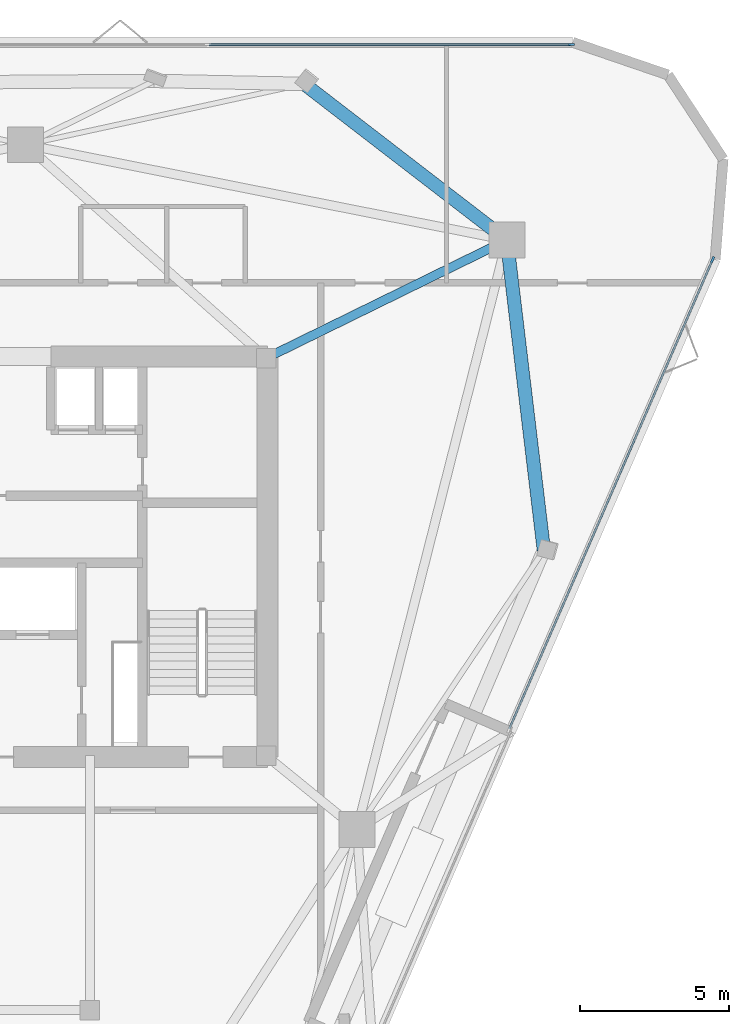
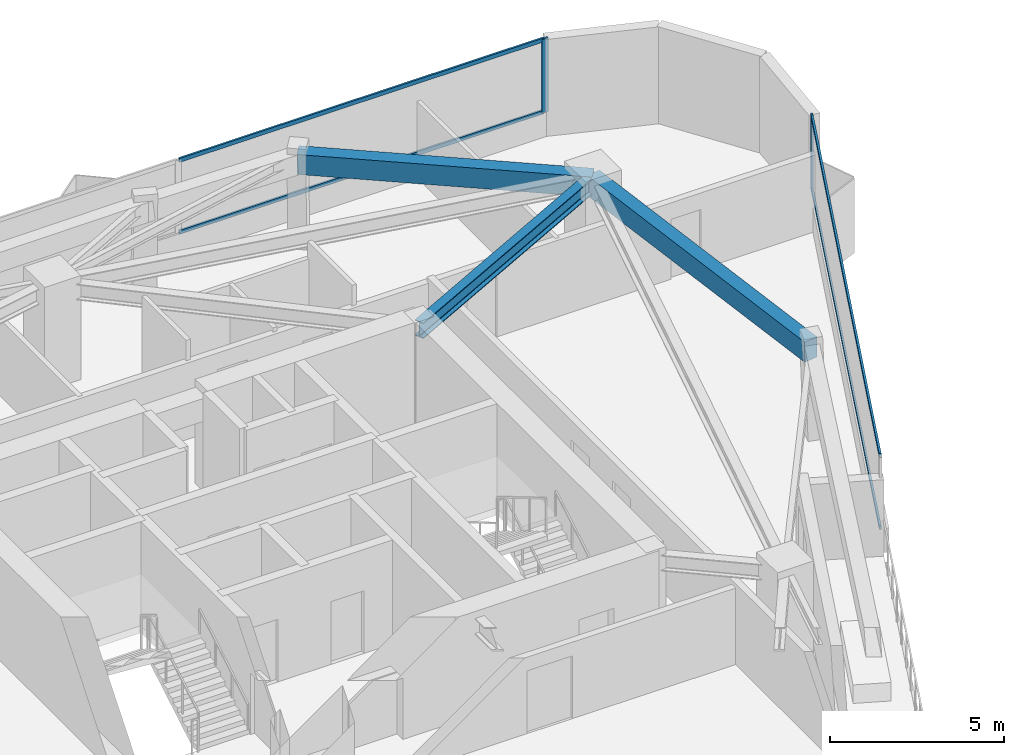
# One storey, part 6 of 10: 6 members, 3 beams, 2 elements without a shape of their own.
"""IFC4 building model written with IfcOpenShell, lengths in metres."""

import ifcopenshell
import ifcopenshell.guid

model = None  # the IFC model being written
_history = None  # IfcOwnerHistory: only IFC2X3 demands one
_inside = {}  # id of a spatial element -> (the spatial element, [elements in it])
_under = {}  # id of a project, library or spatial element -> (it, [spatial elements below it])
_declared = {}  # id of a project -> (the project, [libraries it declares])
_typed = {}  # id of a type object -> (the type object, [elements of that type])
_made_of = {}  # id of a material, layer set ... -> (it, [elements and type objects made of it])


def new_model(schema):
    """Start an empty IFC model of exactly this schema.

    Asked for "IFC4X3", IfcOpenShell would pick the latest addendum, in which some entities
    have other attributes; the version numbers below select the first issue.
    IFC2X3 requires an IfcOwnerHistory on every rooted entity: one is made here for all.
    """
    global model, _history
    if schema == "IFC4X3":
        model = ifcopenshell.file(schema_version=(4, 3, 0, 0))
    else:
        model = ifcopenshell.file(schema=schema)
    _inside.clear()
    _under.clear()
    _declared.clear()
    _typed.clear()
    _made_of.clear()
    _history = None
    if model.schema == "IFC2X3":
        org = make("IfcOrganization", Name="unknown")
        user = make(
            "IfcPersonAndOrganization",
            ThePerson=make("IfcPerson", FamilyName="unknown"),
            TheOrganization=org,
        )
        app = make(
            "IfcApplication",
            ApplicationDeveloper=org,
            Version="unknown",
            ApplicationFullName="unknown",
            ApplicationIdentifier="unknown",
        )
        _history = make(
            "IfcOwnerHistory",
            OwningUser=user,
            OwningApplication=app,
            ChangeAction="ADDED",
            CreationDate=0,
        )
    return model


def make(cls, **values):
    """One entity of the class cls with the attributes given. An attribute that is None is left unset."""
    return model.create_entity(
        cls, **{name: value for name, value in values.items() if value is not None}
    )


def rooted(cls, **values):
    """An entity with a GlobalId (a new one), such as an element, a storey or a relation."""
    return make(cls, GlobalId=ifcopenshell.guid.new(), OwnerHistory=_history, **values)


def si_unit(unit_type, name, prefix=None):
    """IfcSIUnit, for example si_unit("LENGTHUNIT", "METRE", prefix="MILLI")."""
    return make("IfcSIUnit", UnitType=unit_type, Prefix=prefix, Name=name)


def assignment(units):
    """IfcUnitAssignment: the units of a project."""
    return None if units is None else make("IfcUnitAssignment", Units=units)


def point(xyz):
    """IfcCartesianPoint."""
    return None if xyz is None else make("IfcCartesianPoint", Coordinates=xyz)


def direction(xyz):
    """IfcDirection."""
    return None if xyz is None else make("IfcDirection", DirectionRatios=xyz)


def frame(location, z_axis=None, x_axis=None):
    """IfcAxis2Placement3D, a coordinate frame: its origin and axes. An axis left out is left unset."""
    return make(
        "IfcAxis2Placement3D",
        Location=point(location),
        Axis=direction(z_axis),
        RefDirection=direction(x_axis),
    )


def frame_2d(location, x_axis=None):
    """IfcAxis2Placement2D, a coordinate frame in the plane: its origin and x axis."""
    return make(
        "IfcAxis2Placement2D", Location=point(location), RefDirection=direction(x_axis)
    )


def origin():
    """The frame at (0, 0, 0) with its axes left unset."""
    return frame((0.0, 0.0, 0.0))


def origin_2d():
    """The frame at (0, 0) in the plane with its x axis left unset."""
    return frame_2d((0.0, 0.0))


def place(relative_to, where):
    """IfcLocalPlacement: puts the frame where relative to a parent placement (None: the world)."""
    return make(
        "IfcLocalPlacement", PlacementRelTo=relative_to, RelativePlacement=where
    )


def context(
    kind, dimensions, precision=None, world=None, true_north=None, identifier=None
):
    """IfcGeometricRepresentationContext, for example the 3D "Model" context."""
    return make(
        "IfcGeometricRepresentationContext",
        ContextIdentifier=identifier,
        ContextType=kind,
        CoordinateSpaceDimension=dimensions,
        Precision=precision,
        WorldCoordinateSystem=world,
        TrueNorth=true_north,
    )


def subcontext(parent, identifier, kind, view, scale=None):
    """IfcGeometricRepresentationSubContext, for example "Body" below "Model"."""
    return make(
        "IfcGeometricRepresentationSubContext",
        ContextIdentifier=identifier,
        ContextType=kind,
        ParentContext=parent,
        TargetScale=scale,
        TargetView=view,
    )


def project(units=None, contexts=None):
    """IfcProject with its units and contexts."""
    return rooted(
        "IfcProject",
        Name="project",
        RepresentationContexts=contexts,
        UnitsInContext=assignment(units),
    )


def spatial(cls, under=None, at=None, **own):
    """A site, building, storey or space (cls), placed at a placement, below another one or the project."""
    s = rooted(cls, ObjectPlacement=at, **own)
    if under is not None:
        _under.setdefault(under.id(), (under, []))[1].append(s)
    return s


def profile(cls, at=None, kind="AREA", **sizes):
    """A parametric profile (cls). Its sizes go by their IFC names, for example OverallWidth=200.0."""
    return make(cls, ProfileType=kind, Position=at, **sizes)


def rectangle(**sizes):
    """IfcRectangleProfileDef."""
    return profile("IfcRectangleProfileDef", **sizes)


def i_section(**sizes):
    """IfcIShapeProfileDef."""
    return profile("IfcIShapeProfileDef", **sizes)


def extrude(swept, where, along, depth):
    """IfcExtrudedAreaSolid: the profile swept, set in the frame where, extruded along a direction by depth."""
    return make(
        "IfcExtrudedAreaSolid",
        SweptArea=swept,
        Position=where,
        ExtrudedDirection=direction(along),
        Depth=depth,
    )


def shape(context_of_items, identifier, shape_type, items):
    """IfcShapeRepresentation: the items that make up one representation, for example the "Body"."""
    return make(
        "IfcShapeRepresentation",
        ContextOfItems=context_of_items,
        RepresentationIdentifier=identifier,
        RepresentationType=shape_type,
        Items=items,
    )


def material(Name=None, Category=None):
    """IfcMaterial."""
    return make("IfcMaterial", Name=Name, Category=Category)


def layer(
    of_material, thickness, ventilated=None, Name=None, Category=None, Priority=None
):
    """IfcMaterialLayer: one layer of a wall or slab, of a material (None: an air gap)."""
    return make(
        "IfcMaterialLayer",
        Material=of_material,
        LayerThickness=thickness,
        IsVentilated=ventilated,
        Name=Name,
        Category=Category,
        Priority=Priority,
    )


def layer_set(layers, Name=None):
    """IfcMaterialLayerSet."""
    return make("IfcMaterialLayerSet", MaterialLayers=layers, LayerSetName=Name)


def material_profile(
    of_material, cross_section, Name=None, Category=None, Priority=None
):
    """IfcMaterialProfile: a cross section and its material."""
    return make(
        "IfcMaterialProfile",
        Name=Name,
        Material=of_material,
        Profile=cross_section,
        Priority=Priority,
        Category=Category,
    )


def profile_set(profiles, Name=None, composite=None):
    """IfcMaterialProfileSet."""
    return make(
        "IfcMaterialProfileSet",
        Name=Name,
        MaterialProfiles=profiles,
        CompositeProfile=composite,
    )


def made_of(thing, what):
    """Note that an element or type object is made of a material, layer set ...; save() writes the relation."""
    if what is not None:
        _made_of.setdefault(what.id(), (what, []))[1].append(thing)
    return thing


def type_object(cls, material=None, **own):
    """A type object (cls), such as IfcWallType, which elements share."""
    return made_of(rooted(cls, **own), material)


def element(
    cls,
    number,
    at=None,
    inside=None,
    cuts=None,
    type_object=None,
    material=None,
    context=None,
    identifier="Body",
    shape_type=None,
    held_by="IfcProductDefinitionShape",
    body=None,
    shapes=None,
    **own,
):
    """One element of the class cls, such as IfcWall. Its Tag is "e" and its number.

    at: its placement. inside: the storey or other place that contains it. cuts: it is an
    opening in that element (IfcRelVoidsElement). A single representation is given by context,
    identifier, shape_type and body (its items); several are given by shapes. held_by: the class
    of the entity that holds the representations. save() writes the other relations.
    """
    e = rooted(cls, Tag="e%d" % number, ObjectPlacement=at, **own)
    if body is not None:
        shapes = [shape(context, identifier, shape_type, body)]
    if shapes is not None:
        e.Representation = make(held_by, Representations=shapes)
    if inside is not None:
        _inside.setdefault(inside.id(), (inside, []))[1].append(e)
    if cuts is not None:
        rooted(
            "IfcRelVoidsElement", RelatingBuildingElement=cuts, RelatedOpeningElement=e
        )
    if type_object is not None:
        _typed.setdefault(type_object.id(), (type_object, []))[1].append(e)
    return made_of(e, material)


def aggregate(whole, parts):
    """IfcRelAggregates: a whole, such as a stair, and the parts it consists of."""
    return rooted("IfcRelAggregates", RelatingObject=whole, RelatedObjects=parts)


def save(model, path):
    """Write the relations noted so far, then the file.

    IfcRelAggregates (storeys below a building ...), IfcRelContainedInSpatialStructure (elements
    in a storey), IfcRelDefinesByType, IfcRelAssociatesMaterial and IfcRelDeclares: one each for
    every whole, place, type object, material and project.
    """
    for whole, parts in _under.values():
        aggregate(whole, parts)
    for where, things in _inside.values():
        rooted(
            "IfcRelContainedInSpatialStructure",
            RelatedElements=things,
            RelatingStructure=where,
        )
    for kind, things in _typed.values():
        rooted("IfcRelDefinesByType", RelatedObjects=things, RelatingType=kind)
    for what, things in _made_of.values():
        rooted("IfcRelAssociatesMaterial", RelatedObjects=things, RelatingMaterial=what)
    for by, libraries in _declared.values():
        rooted("IfcRelDeclares", RelatingContext=by, RelatedDefinitions=libraries)
    model.write(path)


model = new_model("IFC4")

# Units and contexts
model_context = context("Model", 3, precision=1e-05, world=origin(), true_north=direction((0.0, 1.0)))
body_context = subcontext(model_context, "Body", "Model", "MODEL_VIEW")
ifc_project = project(units=[si_unit("LENGTHUNIT", "METRE"), si_unit("AREAUNIT", "SQUARE_METRE"), si_unit("VOLUMEUNIT", "CUBIC_METRE"), si_unit("PLANEANGLEUNIT", "RADIAN"), si_unit("MASSUNIT", "GRAM", prefix="KILO")], contexts=[model_context])

# Site, building, storey
site_placement = place(None, origin())
site = spatial("IfcSite", under=ifc_project, at=site_placement, CompositionType="ELEMENT")
building_placement = place(site_placement, origin())
building = spatial("IfcBuilding", under=site, at=building_placement, Name="Talyreon Biosciences Tower", CompositionType="ELEMENT")
storey_placement = place(building_placement, frame((0.0, 0.0, 253.5)))
storey = spatial("IfcBuildingStorey", under=building, at=storey_placement, Name="L67", CompositionType="ELEMENT", Elevation=253.5)

# Curtain wall, member
ifc_material_1 = material(Name="Thermally broken aluminium and low-E glazing", Category="aluminium")
ifc_layer = layer(ifc_material_1, 0.205078125)
ifc_layer_set = layer_set([ifc_layer], Name="Thermally broken aluminium and low-E glazing")
curtain_wall_type = type_object("IfcCurtainWallType", Name="CurtainWall_SkyGardenLoggia", PredefinedType="NOTDEFINED", material=ifc_layer_set)
curtain_wall_1_placement = place(storey_placement, origin())
curtain_wall_1 = element("IfcCurtainWall", 1, at=curtain_wall_1_placement, inside=storey, type_object=curtain_wall_type, Name="L67 Unitised Curtain Wall FCW-L67-03", PredefinedType="NOTDEFINED")
ifc_material_2 = material(Name="Anodised thermally broken aluminium", Category="aluminium")
ifc_material_profile_1 = material_profile(ifc_material_2, rectangle(XDim=0.074951171875, YDim=0.2099609375, at=origin_2d()), Name="ALUM MULLION 75x210")
ifc_profile_set_1 = profile_set([ifc_material_profile_1], Name="Anodised thermally broken aluminium")
member_type_1 = type_object("IfcMemberType", Name="CWMullion_75x210", PredefinedType="MULLION", material=ifc_profile_set_1)
member_1_placement = place(storey_placement, frame((84.266357421875, 85.1376953125, 0.81005859375), z_axis=(0.0, 0.0, 1.0), x_axis=(0.0, 1.0, 0.0)))
member_1 = element("IfcMember", 2, at=member_1_placement, type_object=member_type_1, Name="CW7 mullion 4", PredefinedType="MULLION", context=body_context, shape_type="SweptSolid", body=[
    extrude(rectangle(XDim=0.074951171875, YDim=0.2099609375, at=origin_2d()), origin(), (0.0, 0.0, 1.0), 2.58984375),
])

curtain_wall_2_placement = place(storey_placement, origin())
curtain_wall_2 = element("IfcCurtainWall", 3, at=curtain_wall_2_placement, inside=storey, type_object=curtain_wall_type, Name="L67 Unitised Curtain Wall FCW-L67-07", PredefinedType="NOTDEFINED")
member_2_placement = place(storey_placement, frame((88.987060546875, 77.947998046875, 0.81005859375), z_axis=(0.0, 0.0, 1.0), x_axis=(0.917586622181, -0.397535898748, 0.0)))
member_2 = element("IfcMember", 4, at=member_2_placement, type_object=member_type_1, Name="CW7 mullion 1", PredefinedType="MULLION", context=body_context, shape_type="SweptSolid", body=[
    extrude(rectangle(XDim=0.074951171875, YDim=0.2099609375, at=origin_2d()), origin(), (0.0, 0.0, 1.0), 2.58984375),
])

# Member
ifc_material_profile_2 = material_profile(ifc_material_2, rectangle(XDim=0.06494140625, YDim=0.139892578125, at=origin_2d()), Name="ALUM TRANSOM 65x140")
ifc_profile_set_2 = profile_set([ifc_material_profile_2], Name="Anodised thermally broken aluminium")
member_type_2 = type_object("IfcMemberType", Name="CWTransom_65x140", PredefinedType="USERDEFINED", material=ifc_profile_set_2)
member_3_placement = place(storey_placement, frame((72.138671875, 85.1376953125, 0.842529296875), z_axis=(1.0, 0.0, 0.0), x_axis=(0.0, 1.0, 0.0)))
member_3 = element("IfcMember", 5, at=member_3_placement, type_object=member_type_2, Name="CW7 transom 3.1", ObjectType="TRANSOM", PredefinedType="USERDEFINED", context=body_context, shape_type="SweptSolid", body=[
    extrude(rectangle(XDim=0.06494140625, YDim=0.139892578125, at=origin_2d()), origin(), (0.0, 0.0, 1.0), 12.090087890625),
])

member_4_placement = place(storey_placement, frame((72.138671875, 85.1376953125, 3.367431640625), z_axis=(1.0, 0.0, 0.0), x_axis=(0.0, 1.0, 0.0)))
member_4 = element("IfcMember", 6, at=member_4_placement, type_object=member_type_2, Name="CW7 transom 3.2", ObjectType="TRANSOM", PredefinedType="USERDEFINED", context=body_context, shape_type="SweptSolid", body=[
    extrude(rectangle(XDim=0.06494140625, YDim=0.139892578125, at=origin_2d()), origin(), (0.0, 0.0, 1.0), 12.090087890625),
])

aggregate(curtain_wall_1, [member_1, member_3, member_4])

member_5_placement = place(storey_placement, frame((88.97216796875, 77.91357421875, 0.842529296875), z_axis=(-0.397540814257, -0.917584492567, 0.0), x_axis=(0.917584492567, -0.397540814257, 0.0)))
member_5 = element("IfcMember", 7, at=member_5_placement, type_object=member_type_2, Name="CW7 transom 1.1", ObjectType="TRANSOM", PredefinedType="USERDEFINED", context=body_context, shape_type="SweptSolid", body=[
    extrude(rectangle(XDim=0.06494140625, YDim=0.139892578125, at=origin_2d()), origin(), (0.0, 0.0, 1.0), 17.071533203125),
])

member_6_placement = place(storey_placement, frame((88.97216796875, 77.91357421875, 3.367431640625), z_axis=(-0.397540814257, -0.917584492567, 0.0), x_axis=(0.917584492567, -0.397540814257, 0.0)))
member_6 = element("IfcMember", 8, at=member_6_placement, type_object=member_type_2, Name="CW7 transom 1.2", ObjectType="TRANSOM", PredefinedType="USERDEFINED", context=body_context, shape_type="SweptSolid", body=[
    extrude(rectangle(XDim=0.06494140625, YDim=0.139892578125, at=origin_2d()), origin(), (0.0, 0.0, 1.0), 17.071533203125),
])

aggregate(curtain_wall_2, [member_2, member_5, member_6])

# Beams
ifc_material_3 = material(Name="Precast concrete C45/55", Category="concrete")
ifc_material_profile_3 = material_profile(ifc_material_3, rectangle(XDim=0.449951171875, YDim=0.699951171875, at=origin_2d()), Name="RCB 450x700")
ifc_profile_set_3 = profile_set([ifc_material_profile_3], Name="Precast concrete C45/55")
beam_type_1 = type_object("IfcBeamType", Name="ExpressedSpandrel_450x700", PredefinedType="SPANDREL", material=ifc_profile_set_3)
beam_1_placement = place(storey_placement, frame((83.341064453125, 68.22705078125, 3.050048828125), z_axis=(-0.118595894034, 0.992942603537, 0.0), x_axis=(-0.992942603537, -0.118595894034, 0.0)))
element("IfcBeam", 9, at=beam_1_placement, inside=storey, type_object=beam_type_1, Name="L67 Expressed Horizontal Concrete Spandrel 04", PredefinedType="SPANDREL", context=body_context, shape_type="SweptSolid", body=[
    extrude(rectangle(XDim=0.449951171875, YDim=0.699951171875, at=origin_2d()), origin(), (0.0, 0.0, 1.0), 10.4453125),
])
beam_2_placement = place(storey_placement, frame((82.102294921875, 78.5986328125, 3.050048828125), z_axis=(-0.792114769067, 0.610372175501, 0.0), x_axis=(-0.610372175501, -0.792114769067, 0.0)))
element("IfcBeam", 10, at=beam_2_placement, inside=storey, type_object=beam_type_1, Name="L67 Expressed Horizontal Concrete Spandrel 05", PredefinedType="SPANDREL", context=body_context, shape_type="SweptSolid", body=[
    extrude(rectangle(XDim=0.449951171875, YDim=0.699951171875, at=origin_2d()), origin(), (0.0, 0.0, 1.0), 8.559814453125),
])
ifc_material_4 = material(Name="Steel SM355", Category="steel")
ifc_material_profile_4 = material_profile(ifc_material_4, i_section(OverallWidth=0.300048828125, OverallDepth=0.550048828125, WebThickness=0.014892578125, FlangeThickness=0.029052734375, FilletRadius=0.027099609375, at=origin_2d()), Name="HE550B")
ifc_profile_set_4 = profile_set([ifc_material_profile_4], Name="Steel SM355")
beam_type_2 = type_object("IfcBeamType", Name="SteelBeam_HE550B", PredefinedType="BEAM", material=ifc_profile_set_4)
beam_3_placement = place(storey_placement, frame((74.050048828125, 74.64990234375, 3.125), z_axis=(0.897852360314, 0.440296648952, 0.0), x_axis=(-0.440296648952, 0.897852360314, 0.0)))
element("IfcBeam", 11, at=beam_3_placement, inside=storey, type_object=beam_type_2, Name="L67 Radial Primary Girder 3", PredefinedType="BEAM", context=body_context, shape_type="SweptSolid", body=[
    extrude(i_section(OverallWidth=0.300048828125, OverallDepth=0.550048828125, WebThickness=0.014892578125, FlangeThickness=0.029052734375, FilletRadius=0.027099609375, at=origin_2d()), origin(), (0.0, 0.0, 1.0), 8.96826171875),
])

save(model, "model.ifc")
